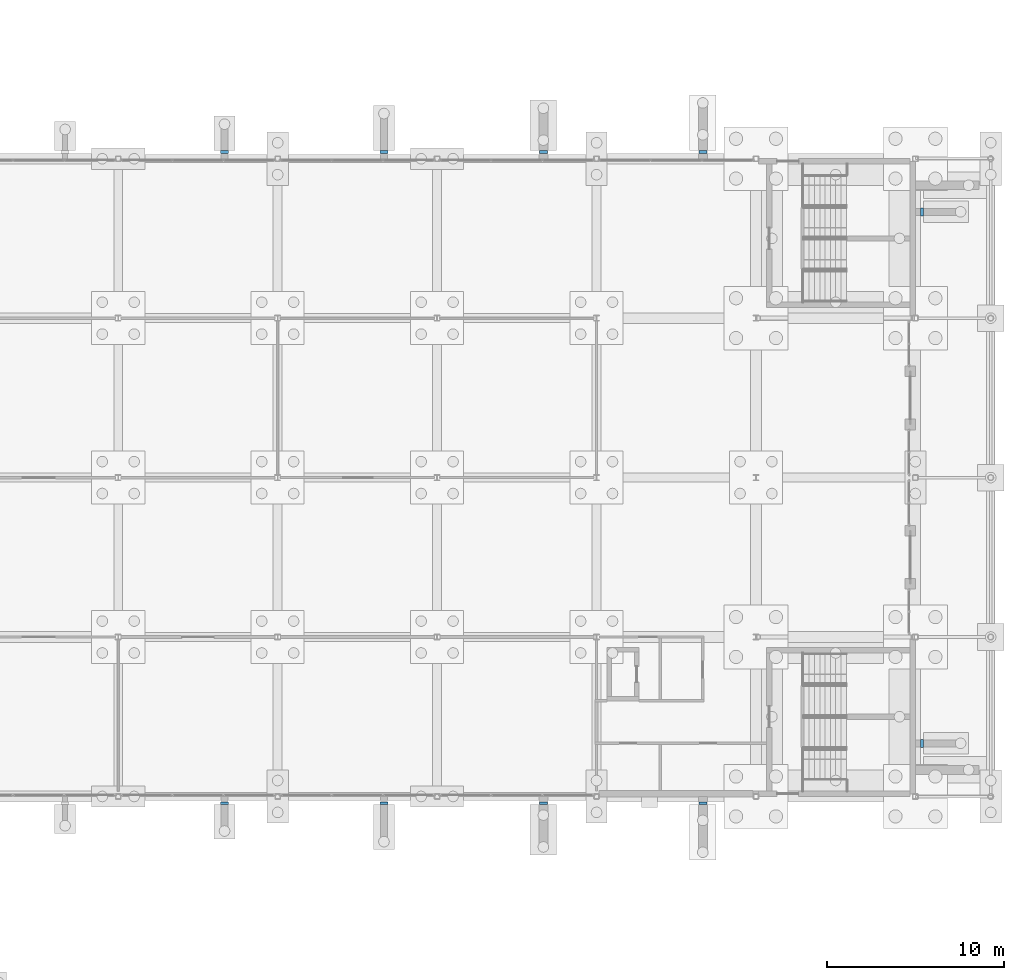
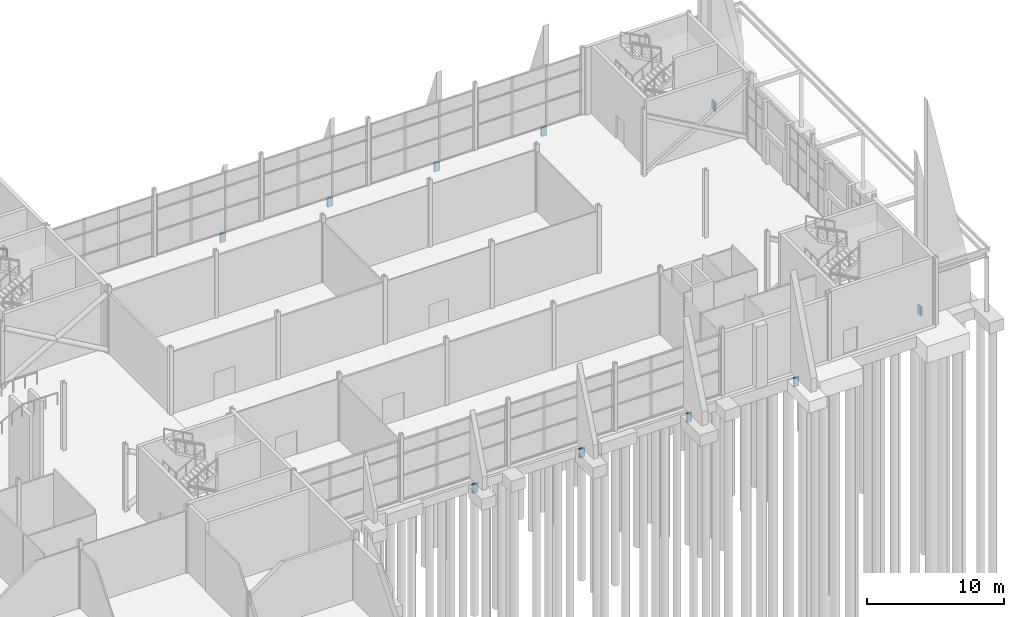
# One storey, part 15 of 139: 10 footings.
"""IFC4 building model written with IfcOpenShell, lengths in metres."""

from ifc_helpers import new_model, si_unit, direction, frame, origin, origin_2d, place, context, subcontext, project, spatial, rectangle, extrude, material, type_object, element, save


model = new_model("IFC4")

# Units and contexts
model_context = context("Model", 3, precision=1e-05, world=origin(), true_north=direction((0.0, 1.0)))
body_context = subcontext(model_context, "Body", "Model", "MODEL_VIEW")
ifc_project = project(units=[si_unit("LENGTHUNIT", "METRE"), si_unit("AREAUNIT", "SQUARE_METRE"), si_unit("VOLUMEUNIT", "CUBIC_METRE"), si_unit("PLANEANGLEUNIT", "RADIAN"), si_unit("MASSUNIT", "GRAM", prefix="KILO")], contexts=[model_context])

# Site, building, storey
site_placement = place(None, origin())
site = spatial("IfcSite", under=ifc_project, at=site_placement, CompositionType="ELEMENT")
building_placement = place(site_placement, origin())
building = spatial("IfcBuilding", under=site, at=building_placement, Name="Shorebreak Coast Museum", CompositionType="ELEMENT")
storey_placement = place(building_placement, origin())
storey = spatial("IfcBuildingStorey", under=building, at=storey_placement, Name="L00", CompositionType="ELEMENT", Elevation=0.0)

# Footings
ifc_material = material(Name="Concrete N50 (50 MPa)", Category="concrete")
footing_type = type_object("IfcFootingType", Name="Footing ground beam 450x800", PredefinedType="FOOTING_BEAM", material=ifc_material)
for number, where, z_axis, x_axis, name in (
    (1, (171.375, 57.0, -1.10009765625), (0.0, 0.0, 1.0), (1.0, 0.0, 0.0), "Ground beam fin to tie E"),
    (2, (171.375, 87.0, -1.10009765625), (0.0, 0.0, 1.0), (1.0, 0.0, 0.0), "Ground beam fin to tie E"),
):
    element("IfcFooting", number, at=place(storey_placement, frame(where, z_axis=z_axis, x_axis=x_axis)), inside=storey, type_object=footing_type, Name=name, PredefinedType="FOOTING_BEAM", context=body_context, shape_type="SweptSolid", body=[
        extrude(rectangle(XDim=0.14990234375, YDim=0.449951171875, at=origin_2d()), origin(), (0.0, 0.0, 1.0), 0.800048828125),
    ])
for number, where, z_axis, x_axis, name in (
    (3, (159.0, 90.375, -1.10009765625), (0.0, 0.0, 1.0), (1.0, 0.0, 0.0), "Ground beam fin to tie EN"),
    (4, (150.0, 90.375, -1.10009765625), (0.0, 0.0, 1.0), (1.0, 0.0, 0.0), "Ground beam fin to tie EN"),
    (5, (141.0, 90.375, -1.10009765625), (0.0, 0.0, 1.0), (1.0, 0.0, 0.0), "Ground beam fin to tie EN"),
    (6, (132.0, 90.375, -1.10009765625), (0.0, 0.0, 1.0), (1.0, 0.0, 0.0), "Ground beam fin to tie EN"),
    (7, (159.0, 53.625, -1.10009765625), (0.0, 0.0, 1.0), (1.0, 0.0, 0.0), "Ground beam fin to tie ES"),
    (8, (150.0, 53.625, -1.10009765625), (0.0, 0.0, 1.0), (1.0, 0.0, 0.0), "Ground beam fin to tie ES"),
    (9, (141.0, 53.625, -1.10009765625), (0.0, 0.0, 1.0), (1.0, 0.0, 0.0), "Ground beam fin to tie ES"),
    (10, (132.0, 53.625, -1.10009765625), (0.0, 0.0, 1.0), (1.0, 0.0, 0.0), "Ground beam fin to tie ES"),
):
    element("IfcFooting", number, at=place(storey_placement, frame(where, z_axis=z_axis, x_axis=x_axis)), inside=storey, type_object=footing_type, Name=name, PredefinedType="FOOTING_BEAM", context=body_context, shape_type="SweptSolid", body=[
        extrude(rectangle(XDim=0.449951171875, YDim=0.14990234375, at=origin_2d()), origin(), (0.0, 0.0, 1.0), 0.800048828125),
    ])

save(model, "model.ifc")
